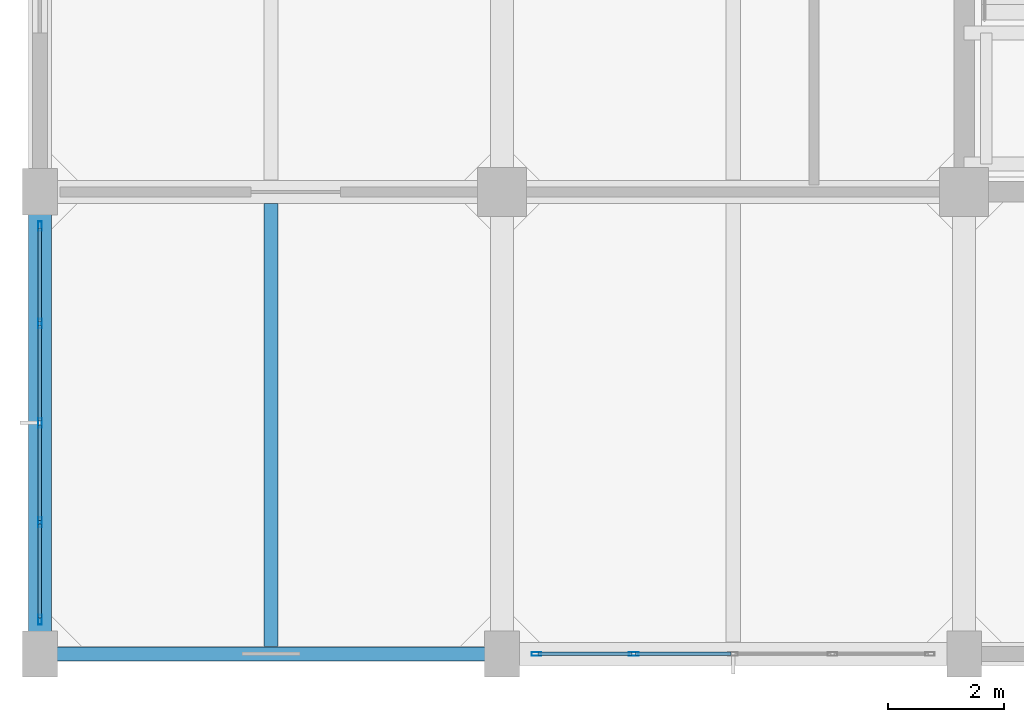
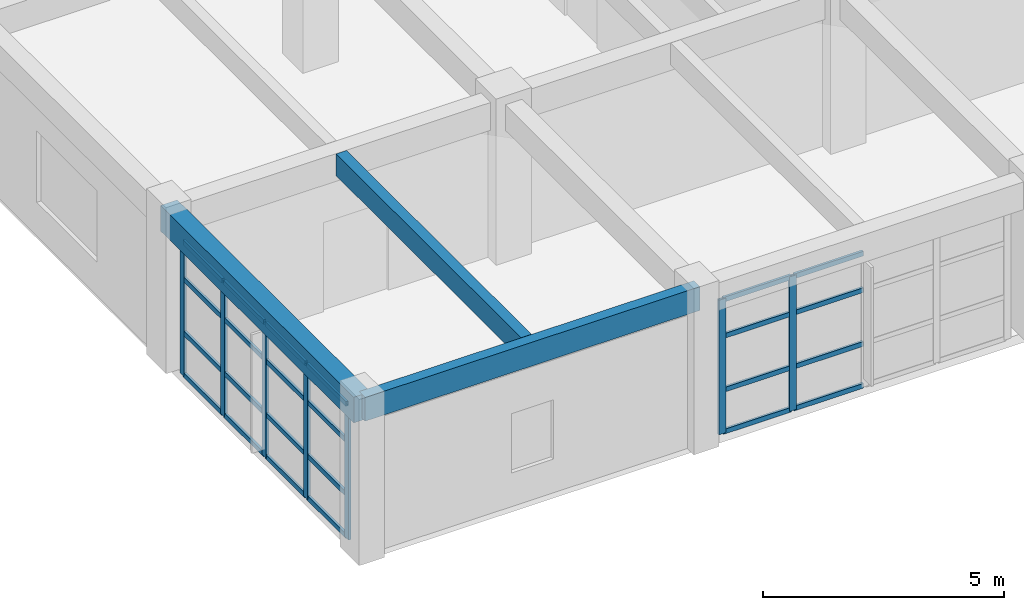
# One storey, part 2 of 27: 31 members, 3 beams, 2 elements without a shape of their own.
"""IFC4 building model written with IfcOpenShell, lengths in metres."""

from ifc_helpers import new_model, si_unit, direction, frame, origin, origin_2d, place, context, subcontext, project, spatial, rectangle, hollow_rectangle, extrude, material, layer, layer_set, material_profile, profile_set, type_object, element, aggregate, save


model = new_model("IFC4")

# Units and contexts
model_context = context("Model", 3, precision=1e-05, world=origin(), true_north=direction((0.0, 1.0)))
body_context = subcontext(model_context, "Body", "Model", "MODEL_VIEW")
ifc_project = project(units=[si_unit("LENGTHUNIT", "METRE"), si_unit("AREAUNIT", "SQUARE_METRE"), si_unit("VOLUMEUNIT", "CUBIC_METRE"), si_unit("PLANEANGLEUNIT", "RADIAN"), si_unit("MASSUNIT", "GRAM", prefix="KILO")], contexts=[model_context])

# Site, building, storey
site_placement = place(None, origin())
site = spatial("IfcSite", under=ifc_project, at=site_placement, CompositionType="ELEMENT")
building_placement = place(site_placement, origin())
building = spatial("IfcBuilding", under=site, at=building_placement, Name="Canggui Botanical Conservatory", CompositionType="ELEMENT")
storey_placement = place(building_placement, frame((0.0, 0.0, 31.800048828125)))
storey = spatial("IfcBuildingStorey", under=building, at=storey_placement, Name="L08", CompositionType="ELEMENT", Elevation=31.800048828125)

# Beams
ifc_material_1 = material(Name="Concrete C35", Category="concrete")
ifc_material_profile_1 = material_profile(ifc_material_1, rectangle(XDim=0.25, YDim=0.550048828125, at=origin_2d()), Name="RB 250x550")
ifc_profile_set_1 = profile_set([ifc_material_profile_1], Name="Concrete C35")
beam_type_1 = type_object("IfcBeamType", Name="BM-JST03", PredefinedType="JOIST", material=ifc_profile_set_1)
beam_1_placement = place(storey_placement, frame((142.0, 34.1298828125, 3.704833984375), z_axis=(0.0, 1.0, 0.0), x_axis=(-1.0, 0.0, 0.0)))
element("IfcBeam", 1, at=beam_1_placement, inside=storey, type_object=beam_type_1, Name="Secondary Floor Joist L08-1-1", PredefinedType="JOIST", context=body_context, shape_type="SweptSolid", body=[
    extrude(rectangle(XDim=0.25, YDim=0.550048828125, at=origin_2d()), origin(), (0.0, 0.0, 1.0), 7.6650390625),
])
ifc_material_profile_2 = material_profile(ifc_material_1, rectangle(XDim=0.39990234375, YDim=0.64990234375, at=origin_2d()), Name="RB 400x650")
ifc_profile_set_2 = profile_set([ifc_material_profile_2], Name="Concrete C35")
beam_type_2 = type_object("IfcBeamType", Name="BM-KL12", PredefinedType="BEAM", material=ifc_profile_set_2)
beam_2_placement = place(storey_placement, frame((138.0, 34.0, 3.655029296875), z_axis=(0.0, 1.0, 0.0), x_axis=(-1.0, 0.0, 0.0)))
element("IfcBeam", 2, at=beam_2_placement, inside=storey, type_object=beam_type_2, Name="Frame Girder L08 X138-1", PredefinedType="BEAM", context=body_context, shape_type="SweptSolid", body=[
    extrude(rectangle(XDim=0.39990234375, YDim=0.64990234375, at=origin_2d()), origin(), (0.0, 0.0, 1.0), 8.0),
])
ifc_material_profile_3 = material_profile(ifc_material_1, rectangle(XDim=0.25, YDim=0.60009765625, at=origin_2d()), Name="RB 250x600")
ifc_profile_set_3 = profile_set([ifc_material_profile_3], Name="Concrete C35")
beam_type_3 = type_object("IfcBeamType", Name="BM-SPD02", PredefinedType="SPANDREL", material=ifc_profile_set_3)
beam_3_placement = place(storey_placement, frame((138.0, 34.0, 3.679931640625), z_axis=(1.0, 0.0, 0.0), x_axis=(0.0, 1.0, 0.0)))
element("IfcBeam", 3, at=beam_3_placement, inside=storey, type_object=beam_type_3, Name="Frame Girder L08 Y34-1", PredefinedType="SPANDREL", context=body_context, shape_type="SweptSolid", body=[
    extrude(rectangle(XDim=0.25, YDim=0.60009765625, at=origin_2d()), origin(), (0.0, 0.0, 1.0), 8.0),
])

# Curtain wall, members
ifc_material_2 = material(Name="Thermally Broken Aluminium", Category="aluminium")
ifc_layer = layer(ifc_material_2, 0.1650390625, Name="Thermally Broken Aluminium", Category="aluminium")
ifc_layer_set = layer_set([ifc_layer], Name="Thermally Broken Aluminium")
curtain_wall_type = type_object("IfcCurtainWallType", Name="CW-UNIT-B", PredefinedType="USERDEFINED", material=ifc_layer_set)
curtain_wall_1_placement = place(storey_placement, origin())
curtain_wall_1 = element("IfcCurtainWall", 4, at=curtain_wall_1_placement, inside=storey, type_object=curtain_wall_type, Name="Facade Curtain Wall CW-TWR-L08-04", ObjectType="UNITISED CURTAIN WALL", PredefinedType="USERDEFINED")
ifc_material_profile_4 = material_profile(ifc_material_2, hollow_rectangle(XDim=0.06494140625, YDim=0.1650390625, WallThickness=0.00390625, at=origin_2d()), Name="CWM 65x165x4")
ifc_profile_set_4 = profile_set([ifc_material_profile_4], Name="Thermally Broken Aluminium")
member_type_1 = type_object("IfcMemberType", Name="CWM-02", PredefinedType="MULLION", material=ifc_profile_set_4)
member_1_placement = place(storey_placement, frame((148.280029296875, 34.0, 0.0), z_axis=(0.0, 0.0, 1.0), x_axis=(0.0, -1.0, 0.0)))
member_1 = element("IfcMember", 5, at=member_1_placement, type_object=member_type_1, Name="CW-02 mullion 4", PredefinedType="MULLION", context=body_context, shape_type="SweptSolid", body=[
    extrude(hollow_rectangle(XDim=0.06494140625, YDim=0.1650390625, WallThickness=0.00390625, at=origin_2d()), origin(), (0.0, 0.0, 1.0), 3.39990234375),
])
member_2_placement = place(storey_placement, frame((146.592529296875, 34.0, 0.0), z_axis=(0.0, 0.0, 1.0), x_axis=(0.0, -1.0, 0.0)))
member_2 = element("IfcMember", 6, at=member_2_placement, type_object=member_type_1, Name="CW-02 mullion 5", PredefinedType="MULLION", context=body_context, shape_type="SweptSolid", body=[
    extrude(hollow_rectangle(XDim=0.06494140625, YDim=0.1650390625, WallThickness=0.00390625, at=origin_2d()), origin(), (0.0, 0.0, 1.0), 3.39990234375),
])

curtain_wall_2_placement = place(storey_placement, origin())
curtain_wall_2 = element("IfcCurtainWall", 7, at=curtain_wall_2_placement, inside=storey, type_object=curtain_wall_type, Name="Facade Curtain Wall CW-TWR-L08-06", ObjectType="UNITISED CURTAIN WALL", PredefinedType="USERDEFINED")
member_3_placement = place(storey_placement, frame((138.0, 34.592529296875, 0.0), z_axis=(0.0, 0.0, 1.0), x_axis=(-1.0, 0.0, 0.0)))
member_3 = element("IfcMember", 8, at=member_3_placement, type_object=member_type_1, Name="CW-02 mullion 1", PredefinedType="MULLION", context=body_context, shape_type="SweptSolid", body=[
    extrude(hollow_rectangle(XDim=0.06494140625, YDim=0.1650390625, WallThickness=0.00390625, at=origin_2d()), origin(), (0.0, 0.0, 1.0), 3.39990234375),
])
member_4_placement = place(storey_placement, frame((138.0, 36.280029296875, 0.0), z_axis=(0.0, 0.0, 1.0), x_axis=(-1.0, 0.0, 0.0)))
member_4 = element("IfcMember", 9, at=member_4_placement, type_object=member_type_1, Name="CW-02 mullion 2", PredefinedType="MULLION", context=body_context, shape_type="SweptSolid", body=[
    extrude(hollow_rectangle(XDim=0.06494140625, YDim=0.1650390625, WallThickness=0.00390625, at=origin_2d()), origin(), (0.0, 0.0, 1.0), 3.39990234375),
])
member_5_placement = place(storey_placement, frame((138.0, 38.0, 0.0), z_axis=(0.0, 0.0, 1.0), x_axis=(-1.0, 0.0, 0.0)))
member_5 = element("IfcMember", 10, at=member_5_placement, type_object=member_type_1, Name="CW-02 mullion 3", PredefinedType="MULLION", context=body_context, shape_type="SweptSolid", body=[
    extrude(hollow_rectangle(XDim=0.06494140625, YDim=0.1650390625, WallThickness=0.00390625, at=origin_2d()), origin(), (0.0, 0.0, 1.0), 3.39990234375),
])
member_6_placement = place(storey_placement, frame((138.0, 39.719970703125, 0.0), z_axis=(0.0, 0.0, 1.0), x_axis=(-1.0, 0.0, 0.0)))
member_6 = element("IfcMember", 11, at=member_6_placement, type_object=member_type_1, Name="CW-02 mullion 4", PredefinedType="MULLION", context=body_context, shape_type="SweptSolid", body=[
    extrude(hollow_rectangle(XDim=0.06494140625, YDim=0.1650390625, WallThickness=0.00390625, at=origin_2d()), origin(), (0.0, 0.0, 1.0), 3.39990234375),
])
member_7_placement = place(storey_placement, frame((138.0, 41.407470703125, 0.0), z_axis=(0.0, 0.0, 1.0), x_axis=(-1.0, 0.0, 0.0)))
member_7 = element("IfcMember", 12, at=member_7_placement, type_object=member_type_1, Name="CW-02 mullion 5", PredefinedType="MULLION", context=body_context, shape_type="SweptSolid", body=[
    extrude(hollow_rectangle(XDim=0.06494140625, YDim=0.1650390625, WallThickness=0.00390625, at=origin_2d()), origin(), (0.0, 0.0, 1.0), 3.39990234375),
])

# Member
ifc_material_profile_5 = material_profile(ifc_material_2, hollow_rectangle(XDim=0.06005859375, YDim=0.1201171875, WallThickness=0.00341796875, at=origin_2d()), Name="CWT 60x120x3.5")
ifc_profile_set_5 = profile_set([ifc_material_profile_5], Name="Thermally Broken Aluminium")
member_type_2 = type_object("IfcMemberType", Name="CWT-02", PredefinedType="USERDEFINED", material=ifc_profile_set_5)
member_8_placement = place(storey_placement, frame((149.967529296875, 34.0, 0.030029296875), z_axis=(-1.0, 0.0, 0.0), x_axis=(0.0, -1.0, 0.0)))
member_8 = element("IfcMember", 13, at=member_8_placement, type_object=member_type_2, Name="CW-02 transom 3.1", ObjectType="TRANSOM", PredefinedType="USERDEFINED", context=body_context, shape_type="SweptSolid", body=[
    extrude(hollow_rectangle(XDim=0.06005859375, YDim=0.1201171875, WallThickness=0.00341796875, at=origin_2d()), origin(), (0.0, 0.0, 1.0), 1.655029296875),
])

member_9_placement = place(storey_placement, frame((149.967529296875, 34.0, 1.087890625), z_axis=(-1.0, 0.0, 0.0), x_axis=(0.0, -1.0, 0.0)))
member_9 = element("IfcMember", 14, at=member_9_placement, type_object=member_type_2, Name="CW-02 transom 3.2", ObjectType="TRANSOM", PredefinedType="USERDEFINED", context=body_context, shape_type="SweptSolid", body=[
    extrude(hollow_rectangle(XDim=0.06005859375, YDim=0.1201171875, WallThickness=0.00341796875, at=origin_2d()), origin(), (0.0, 0.0, 1.0), 1.655029296875),
])

member_10_placement = place(storey_placement, frame((149.967529296875, 34.0, 2.447998046875), z_axis=(-1.0, 0.0, 0.0), x_axis=(0.0, -1.0, 0.0)))
member_10 = element("IfcMember", 15, at=member_10_placement, type_object=member_type_2, Name="CW-02 transom 3.3", ObjectType="TRANSOM", PredefinedType="USERDEFINED", context=body_context, shape_type="SweptSolid", body=[
    extrude(hollow_rectangle(XDim=0.06005859375, YDim=0.1201171875, WallThickness=0.00341796875, at=origin_2d()), origin(), (0.0, 0.0, 1.0), 1.655029296875),
])

member_11_placement = place(storey_placement, frame((149.967529296875, 34.0, 3.369873046875), z_axis=(-1.0, 0.0, 0.0), x_axis=(0.0, -1.0, 0.0)))
member_11 = element("IfcMember", 16, at=member_11_placement, type_object=member_type_2, Name="CW-02 transom 3.4", ObjectType="TRANSOM", PredefinedType="USERDEFINED", context=body_context, shape_type="SweptSolid", body=[
    extrude(hollow_rectangle(XDim=0.06005859375, YDim=0.1201171875, WallThickness=0.00341796875, at=origin_2d()), origin(), (0.0, 0.0, 1.0), 1.655029296875),
])

member_12_placement = place(storey_placement, frame((148.24755859375, 34.0, 0.030029296875), z_axis=(-1.0, 0.0, 0.0), x_axis=(0.0, -1.0, 0.0)))
member_12 = element("IfcMember", 17, at=member_12_placement, type_object=member_type_2, Name="CW-02 transom 4.1", ObjectType="TRANSOM", PredefinedType="USERDEFINED", context=body_context, shape_type="SweptSolid", body=[
    extrude(hollow_rectangle(XDim=0.06005859375, YDim=0.1201171875, WallThickness=0.00341796875, at=origin_2d()), origin(), (0.0, 0.0, 1.0), 1.62255859375),
])

member_13_placement = place(storey_placement, frame((148.24755859375, 34.0, 1.087890625), z_axis=(-1.0, 0.0, 0.0), x_axis=(0.0, -1.0, 0.0)))
member_13 = element("IfcMember", 18, at=member_13_placement, type_object=member_type_2, Name="CW-02 transom 4.2", ObjectType="TRANSOM", PredefinedType="USERDEFINED", context=body_context, shape_type="SweptSolid", body=[
    extrude(hollow_rectangle(XDim=0.06005859375, YDim=0.1201171875, WallThickness=0.00341796875, at=origin_2d()), origin(), (0.0, 0.0, 1.0), 1.62255859375),
])

member_14_placement = place(storey_placement, frame((148.24755859375, 34.0, 2.447998046875), z_axis=(-1.0, 0.0, 0.0), x_axis=(0.0, -1.0, 0.0)))
member_14 = element("IfcMember", 19, at=member_14_placement, type_object=member_type_2, Name="CW-02 transom 4.3", ObjectType="TRANSOM", PredefinedType="USERDEFINED", context=body_context, shape_type="SweptSolid", body=[
    extrude(hollow_rectangle(XDim=0.06005859375, YDim=0.1201171875, WallThickness=0.00341796875, at=origin_2d()), origin(), (0.0, 0.0, 1.0), 1.62255859375),
])

member_15_placement = place(storey_placement, frame((148.24755859375, 34.0, 3.369873046875), z_axis=(-1.0, 0.0, 0.0), x_axis=(0.0, -1.0, 0.0)))
member_15 = element("IfcMember", 20, at=member_15_placement, type_object=member_type_2, Name="CW-02 transom 4.4", ObjectType="TRANSOM", PredefinedType="USERDEFINED", context=body_context, shape_type="SweptSolid", body=[
    extrude(hollow_rectangle(XDim=0.06005859375, YDim=0.1201171875, WallThickness=0.00341796875, at=origin_2d()), origin(), (0.0, 0.0, 1.0), 1.62255859375),
])

aggregate(curtain_wall_1, [member_1, member_2, member_8, member_9, member_10, member_11, member_12, member_13, member_14, member_15])

member_16_placement = place(storey_placement, frame((138.0, 34.625, 0.030029296875), z_axis=(0.0, 1.0, 0.0), x_axis=(-1.0, 0.0, 0.0)))
member_16 = element("IfcMember", 21, at=member_16_placement, type_object=member_type_2, Name="CW-02 transom 1.1", ObjectType="TRANSOM", PredefinedType="USERDEFINED", context=body_context, shape_type="SweptSolid", body=[
    extrude(hollow_rectangle(XDim=0.06005859375, YDim=0.1201171875, WallThickness=0.00341796875, at=origin_2d()), origin(), (0.0, 0.0, 1.0), 1.62255859375),
])

member_17_placement = place(storey_placement, frame((138.0, 34.625, 1.087890625), z_axis=(0.0, 1.0, 0.0), x_axis=(-1.0, 0.0, 0.0)))
member_17 = element("IfcMember", 22, at=member_17_placement, type_object=member_type_2, Name="CW-02 transom 1.2", ObjectType="TRANSOM", PredefinedType="USERDEFINED", context=body_context, shape_type="SweptSolid", body=[
    extrude(hollow_rectangle(XDim=0.06005859375, YDim=0.1201171875, WallThickness=0.00341796875, at=origin_2d()), origin(), (0.0, 0.0, 1.0), 1.62255859375),
])

member_18_placement = place(storey_placement, frame((138.0, 34.625, 2.447998046875), z_axis=(0.0, 1.0, 0.0), x_axis=(-1.0, 0.0, 0.0)))
member_18 = element("IfcMember", 23, at=member_18_placement, type_object=member_type_2, Name="CW-02 transom 1.3", ObjectType="TRANSOM", PredefinedType="USERDEFINED", context=body_context, shape_type="SweptSolid", body=[
    extrude(hollow_rectangle(XDim=0.06005859375, YDim=0.1201171875, WallThickness=0.00341796875, at=origin_2d()), origin(), (0.0, 0.0, 1.0), 1.62255859375),
])

member_19_placement = place(storey_placement, frame((138.0, 34.625, 3.369873046875), z_axis=(0.0, 1.0, 0.0), x_axis=(-1.0, 0.0, 0.0)))
member_19 = element("IfcMember", 24, at=member_19_placement, type_object=member_type_2, Name="CW-02 transom 1.4", ObjectType="TRANSOM", PredefinedType="USERDEFINED", context=body_context, shape_type="SweptSolid", body=[
    extrude(hollow_rectangle(XDim=0.06005859375, YDim=0.1201171875, WallThickness=0.00341796875, at=origin_2d()), origin(), (0.0, 0.0, 1.0), 1.62255859375),
])

member_20_placement = place(storey_placement, frame((138.0, 36.3125, 0.030029296875), z_axis=(0.0, 1.0, 0.0), x_axis=(-1.0, 0.0, 0.0)))
member_20 = element("IfcMember", 25, at=member_20_placement, type_object=member_type_2, Name="CW-02 transom 2.1", ObjectType="TRANSOM", PredefinedType="USERDEFINED", context=body_context, shape_type="SweptSolid", body=[
    extrude(hollow_rectangle(XDim=0.06005859375, YDim=0.1201171875, WallThickness=0.00341796875, at=origin_2d()), origin(), (0.0, 0.0, 1.0), 1.655029296875),
])

member_21_placement = place(storey_placement, frame((138.0, 36.3125, 1.087890625), z_axis=(0.0, 1.0, 0.0), x_axis=(-1.0, 0.0, 0.0)))
member_21 = element("IfcMember", 26, at=member_21_placement, type_object=member_type_2, Name="CW-02 transom 2.2", ObjectType="TRANSOM", PredefinedType="USERDEFINED", context=body_context, shape_type="SweptSolid", body=[
    extrude(hollow_rectangle(XDim=0.06005859375, YDim=0.1201171875, WallThickness=0.00341796875, at=origin_2d()), origin(), (0.0, 0.0, 1.0), 1.655029296875),
])

member_22_placement = place(storey_placement, frame((138.0, 36.3125, 2.447998046875), z_axis=(0.0, 1.0, 0.0), x_axis=(-1.0, 0.0, 0.0)))
member_22 = element("IfcMember", 27, at=member_22_placement, type_object=member_type_2, Name="CW-02 transom 2.3", ObjectType="TRANSOM", PredefinedType="USERDEFINED", context=body_context, shape_type="SweptSolid", body=[
    extrude(hollow_rectangle(XDim=0.06005859375, YDim=0.1201171875, WallThickness=0.00341796875, at=origin_2d()), origin(), (0.0, 0.0, 1.0), 1.655029296875),
])

member_23_placement = place(storey_placement, frame((138.0, 36.3125, 3.369873046875), z_axis=(0.0, 1.0, 0.0), x_axis=(-1.0, 0.0, 0.0)))
member_23 = element("IfcMember", 28, at=member_23_placement, type_object=member_type_2, Name="CW-02 transom 2.4", ObjectType="TRANSOM", PredefinedType="USERDEFINED", context=body_context, shape_type="SweptSolid", body=[
    extrude(hollow_rectangle(XDim=0.06005859375, YDim=0.1201171875, WallThickness=0.00341796875, at=origin_2d()), origin(), (0.0, 0.0, 1.0), 1.655029296875),
])

member_24_placement = place(storey_placement, frame((138.0, 38.032470703125, 0.030029296875), z_axis=(0.0, 1.0, 0.0), x_axis=(-1.0, 0.0, 0.0)))
member_24 = element("IfcMember", 29, at=member_24_placement, type_object=member_type_2, Name="CW-02 transom 3.1", ObjectType="TRANSOM", PredefinedType="USERDEFINED", context=body_context, shape_type="SweptSolid", body=[
    extrude(hollow_rectangle(XDim=0.06005859375, YDim=0.1201171875, WallThickness=0.00341796875, at=origin_2d()), origin(), (0.0, 0.0, 1.0), 1.655029296875),
])

member_25_placement = place(storey_placement, frame((138.0, 38.032470703125, 1.087890625), z_axis=(0.0, 1.0, 0.0), x_axis=(-1.0, 0.0, 0.0)))
member_25 = element("IfcMember", 30, at=member_25_placement, type_object=member_type_2, Name="CW-02 transom 3.2", ObjectType="TRANSOM", PredefinedType="USERDEFINED", context=body_context, shape_type="SweptSolid", body=[
    extrude(hollow_rectangle(XDim=0.06005859375, YDim=0.1201171875, WallThickness=0.00341796875, at=origin_2d()), origin(), (0.0, 0.0, 1.0), 1.655029296875),
])

member_26_placement = place(storey_placement, frame((138.0, 38.032470703125, 2.447998046875), z_axis=(0.0, 1.0, 0.0), x_axis=(-1.0, 0.0, 0.0)))
member_26 = element("IfcMember", 31, at=member_26_placement, type_object=member_type_2, Name="CW-02 transom 3.3", ObjectType="TRANSOM", PredefinedType="USERDEFINED", context=body_context, shape_type="SweptSolid", body=[
    extrude(hollow_rectangle(XDim=0.06005859375, YDim=0.1201171875, WallThickness=0.00341796875, at=origin_2d()), origin(), (0.0, 0.0, 1.0), 1.655029296875),
])

member_27_placement = place(storey_placement, frame((138.0, 38.032470703125, 3.369873046875), z_axis=(0.0, 1.0, 0.0), x_axis=(-1.0, 0.0, 0.0)))
member_27 = element("IfcMember", 32, at=member_27_placement, type_object=member_type_2, Name="CW-02 transom 3.4", ObjectType="TRANSOM", PredefinedType="USERDEFINED", context=body_context, shape_type="SweptSolid", body=[
    extrude(hollow_rectangle(XDim=0.06005859375, YDim=0.1201171875, WallThickness=0.00341796875, at=origin_2d()), origin(), (0.0, 0.0, 1.0), 1.655029296875),
])

member_28_placement = place(storey_placement, frame((138.0, 39.75244140625, 0.030029296875), z_axis=(0.0, 1.0, 0.0), x_axis=(-1.0, 0.0, 0.0)))
member_28 = element("IfcMember", 33, at=member_28_placement, type_object=member_type_2, Name="CW-02 transom 4.1", ObjectType="TRANSOM", PredefinedType="USERDEFINED", context=body_context, shape_type="SweptSolid", body=[
    extrude(hollow_rectangle(XDim=0.06005859375, YDim=0.1201171875, WallThickness=0.00341796875, at=origin_2d()), origin(), (0.0, 0.0, 1.0), 1.62255859375),
])

member_29_placement = place(storey_placement, frame((138.0, 39.75244140625, 1.087890625), z_axis=(0.0, 1.0, 0.0), x_axis=(-1.0, 0.0, 0.0)))
member_29 = element("IfcMember", 34, at=member_29_placement, type_object=member_type_2, Name="CW-02 transom 4.2", ObjectType="TRANSOM", PredefinedType="USERDEFINED", context=body_context, shape_type="SweptSolid", body=[
    extrude(hollow_rectangle(XDim=0.06005859375, YDim=0.1201171875, WallThickness=0.00341796875, at=origin_2d()), origin(), (0.0, 0.0, 1.0), 1.62255859375),
])

member_30_placement = place(storey_placement, frame((138.0, 39.75244140625, 2.447998046875), z_axis=(0.0, 1.0, 0.0), x_axis=(-1.0, 0.0, 0.0)))
member_30 = element("IfcMember", 35, at=member_30_placement, type_object=member_type_2, Name="CW-02 transom 4.3", ObjectType="TRANSOM", PredefinedType="USERDEFINED", context=body_context, shape_type="SweptSolid", body=[
    extrude(hollow_rectangle(XDim=0.06005859375, YDim=0.1201171875, WallThickness=0.00341796875, at=origin_2d()), origin(), (0.0, 0.0, 1.0), 1.62255859375),
])

member_31_placement = place(storey_placement, frame((138.0, 39.75244140625, 3.369873046875), z_axis=(0.0, 1.0, 0.0), x_axis=(-1.0, 0.0, 0.0)))
member_31 = element("IfcMember", 36, at=member_31_placement, type_object=member_type_2, Name="CW-02 transom 4.4", ObjectType="TRANSOM", PredefinedType="USERDEFINED", context=body_context, shape_type="SweptSolid", body=[
    extrude(hollow_rectangle(XDim=0.06005859375, YDim=0.1201171875, WallThickness=0.00341796875, at=origin_2d()), origin(), (0.0, 0.0, 1.0), 1.62255859375),
])

aggregate(curtain_wall_2, [member_3, member_4, member_5, member_6, member_7, member_16, member_17, member_18, member_19, member_20, member_21, member_22, member_23, member_24, member_25, member_26, member_27, member_28, member_29, member_30, member_31])

save(model, "model.ifc")
